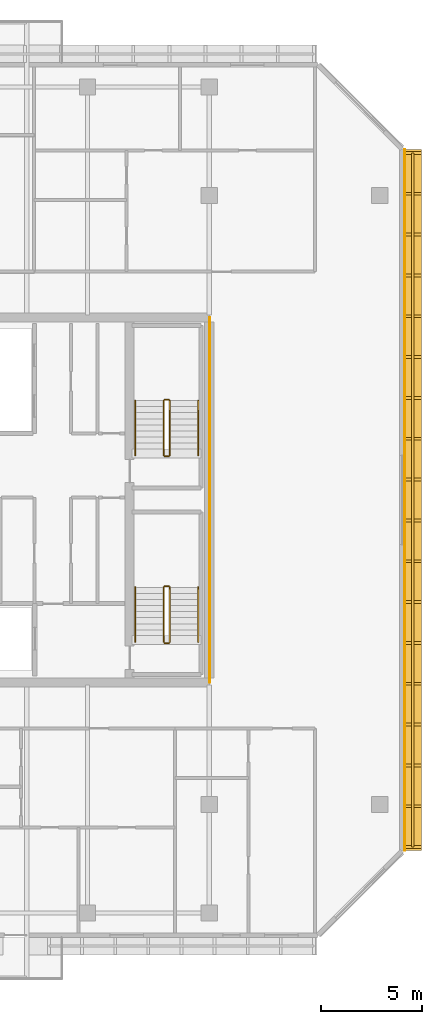
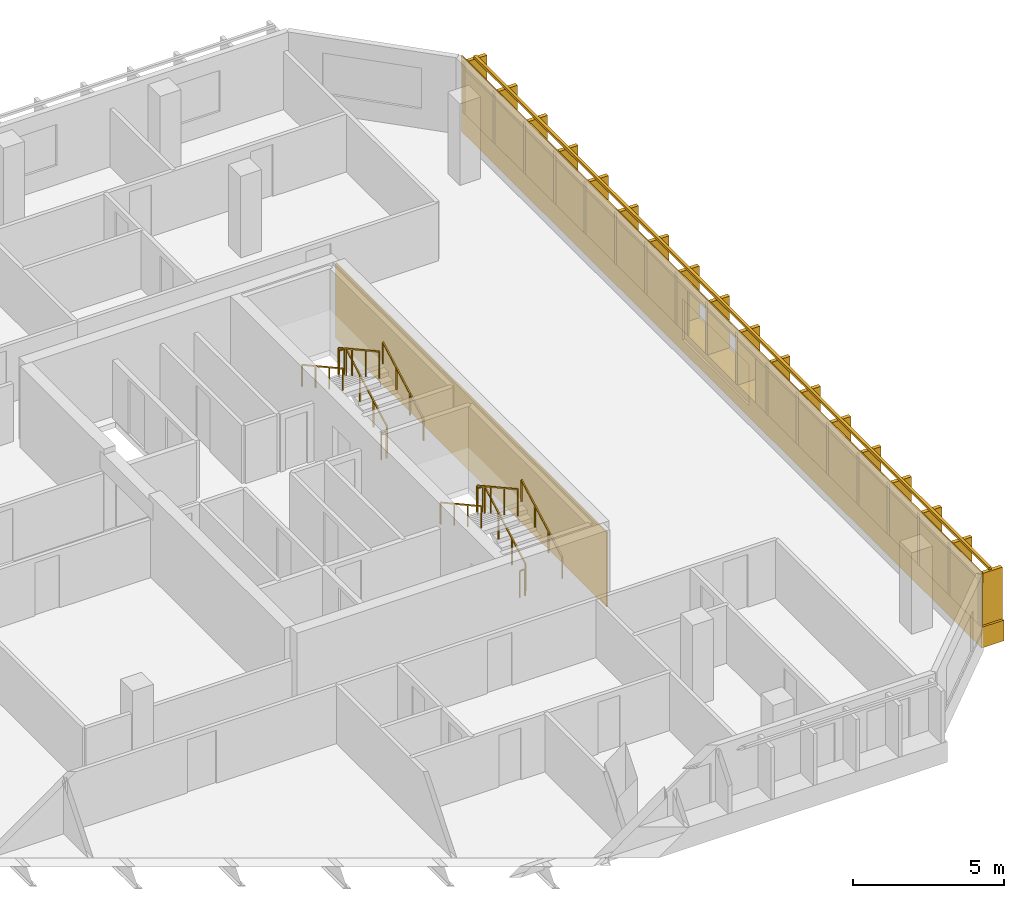
# One storey, part 15 of 16: 13 railings, 5 coverings.
"""IFC4 building model written with IfcOpenShell, lengths in metres."""

from ifc_helpers import new_model, si_unit, direction, frame, origin, origin_2d, place, context, subcontext, project, spatial, rectangle, extrude, material, layer, layer_set, type_object, element, save


model = new_model("IFC4")

# Units and contexts
model_context = context("Model", 3, precision=1e-05, world=origin(), true_north=direction((0.0, 1.0)))
body_context = subcontext(model_context, "Body", "Model", "MODEL_VIEW")
ifc_project = project(units=[si_unit("LENGTHUNIT", "METRE"), si_unit("AREAUNIT", "SQUARE_METRE"), si_unit("VOLUMEUNIT", "CUBIC_METRE"), si_unit("PLANEANGLEUNIT", "RADIAN"), si_unit("MASSUNIT", "GRAM", prefix="KILO")], contexts=[model_context])

# Site, building, storey
site_placement = place(None, origin())
site = spatial("IfcSite", under=ifc_project, at=site_placement, CompositionType="ELEMENT")
building_placement = place(site_placement, origin())
building = spatial("IfcBuilding", under=site, at=building_placement, Name="Tanjung Sevakor Pilgrim Tower", CompositionType="ELEMENT")
storey_placement = place(building_placement, frame((0.0, 0.0, 191.72998046875)))
storey = spatial("IfcBuildingStorey", under=building, at=storey_placement, Name="L53", CompositionType="ELEMENT", Elevation=191.72998046875)

# Coverings
ifc_material_1 = material(Name="Reconstructed Limestone Cladding", Category="masonry")
ifc_layer = layer(ifc_material_1, 0.044921875)
ifc_layer_set = layer_set([ifc_layer], Name="COV-CLAD-LIMESTONE")
covering_type = type_object("IfcCoveringType", Name="COV-CLAD-LIMESTONE", PredefinedType="CLADDING", material=ifc_layer_set)
covering_1_placement = place(storey_placement, frame((100.030029296875, 33.60009765625, 0.009765625), z_axis=(0.0, 0.0, 1.0), x_axis=(0.0, 1.0, 0.0)))
element("IfcCovering", 1, at=covering_1_placement, inside=storey, type_object=covering_type, Name="L53 Warm Limestone Sill Spandrel EW-L53-MAIN-7-1", PredefinedType="CLADDING", context=body_context, shape_type="SweptSolid", body=[
    extrude(rectangle(XDim=34.52880859375, YDim=0.860107421875, at=origin_2d()), origin(), (0.0, 0.0, 1.0), 0.840087890625),
])
covering_2_placement = place(storey_placement, frame((99.62255859375, 33.60009765625, 2.66015625), z_axis=(0.0, 0.0, 1.0), x_axis=(0.0, 1.0, 0.0)))
element("IfcCovering", 2, at=covering_2_placement, inside=storey, type_object=covering_type, Name="L53 Warm Limestone Cornice Spandrel EW-L53-MAIN-7", PredefinedType="CLADDING", context=body_context, shape_type="SweptSolid", body=[
    extrude(rectangle(XDim=34.56884765625, YDim=0.044921875, at=origin_2d()), origin(), (0.0, 0.0, 1.0), 0.409912109375),
])
for number, where, z_axis, x_axis, name in (
    (3, (99.62255859375, 23.8427734375, 0.85009765625), (0.0, 0.0, 1.0), (0.0, 1.0, 0.0), "L53 Warm Limestone Pier Panel EW-L53-MAIN-7-1"),
    (4, (99.62255859375, 43.357177734375, 0.85009765625), (0.0, 0.0, 1.0), (0.0, 1.0, 0.0), "L53 Warm Limestone Pier Panel EW-L53-MAIN-7-2"),
):
    element("IfcCovering", number, at=place(storey_placement, frame(where, z_axis=z_axis, x_axis=x_axis)), inside=storey, type_object=covering_type, Name=name, PredefinedType="CLADDING", context=body_context, shape_type="SweptSolid", body=[
        extrude(rectangle(XDim=15.014404296875, YDim=0.044921875, at=origin_2d()), origin(), (0.0, 0.0, 1.0), 1.81005859375),
    ])
covering_3_placement = place(storey_placement, frame((90.0224609375, 33.60009765625, 0.02001953125), z_axis=(0.0, 0.0, 1.0), x_axis=(1.0, 0.0, 0.0)))
element("IfcCovering", 5, at=covering_3_placement, inside=storey, type_object=covering_type, Name="L53 Expressed Core Warm Limestone Cladding E", PredefinedType="CLADDING", context=body_context, shape_type="SweptSolid", body=[
    extrude(rectangle(XDim=0.044921875, YDim=18.0, at=origin_2d()), origin(), (0.0, 0.0, 1.0), 3.0400390625),
])

# Railings
ifc_material_2 = material(Name="Anodised Bronze Aluminium 6063-T6", Category="aluminium")
railing_type_1 = type_object("IfcRailingType", Name="RL-FIN-SCREEN", PredefinedType="BALUSTRADE", material=ifc_material_2)
railing_1_placement = place(storey_placement, frame((100.02490234375, 16.49560546875, 0.840087890625)))
element("IfcRailing", 6, at=railing_1_placement, inside=storey, type_object=railing_type_1, Name="L53 Vertical Bronze-Gold Solar Fin Screen FNEND-EW-L53-MAIN-7-1", PredefinedType="BALUSTRADE", context=body_context, shape_type="SweptSolid", body=[
    extrude(rectangle(XDim=0.105, YDim=0.105), frame((0.0, 0.0, 2.157470703125), z_axis=(0.0, 1.0, 0.0), x_axis=(-1.0, 0.0, 0.0)), (0.0, 0.0, 1.0), 34.208740234375),
    extrude(rectangle(XDim=0.85, YDim=0.14), origin(), (0.0, 0.0, 1.0), 2.10498046875),
    extrude(rectangle(XDim=0.85, YDim=0.14), frame((0.0, 2.01220703125, 0.0)), (0.0, 0.0, 1.0), 2.10498046875),
    extrude(rectangle(XDim=0.85, YDim=0.14), frame((0.0, 4.024658203125, 0.0)), (0.0, 0.0, 1.0), 2.10498046875),
    extrude(rectangle(XDim=0.85, YDim=0.14), frame((0.0, 6.036865234375, 0.0)), (0.0, 0.0, 1.0), 2.10498046875),
    extrude(rectangle(XDim=0.85, YDim=0.14), frame((0.0, 8.049072265625, 0.0)), (0.0, 0.0, 1.0), 2.10498046875),
    extrude(rectangle(XDim=0.85, YDim=0.14), frame((0.0, 10.061279296875, 0.0)), (0.0, 0.0, 1.0), 2.10498046875),
    extrude(rectangle(XDim=0.85, YDim=0.14), frame((0.0, 12.07373046875, 0.0)), (0.0, 0.0, 1.0), 2.10498046875),
    extrude(rectangle(XDim=0.85, YDim=0.14), frame((0.0, 14.0859375, 0.0)), (0.0, 0.0, 1.0), 2.10498046875),
    extrude(rectangle(XDim=0.85, YDim=0.14), frame((0.0, 16.09814453125, 0.0)), (0.0, 0.0, 1.0), 2.10498046875),
    extrude(rectangle(XDim=0.85, YDim=0.14), frame((0.0, 18.110595703125, 0.0)), (0.0, 0.0, 1.0), 2.10498046875),
    extrude(rectangle(XDim=0.85, YDim=0.14), frame((0.0, 20.122802734375, 0.0)), (0.0, 0.0, 1.0), 2.10498046875),
    extrude(rectangle(XDim=0.85, YDim=0.14), frame((0.0, 22.135009765625, 0.0)), (0.0, 0.0, 1.0), 2.10498046875),
    extrude(rectangle(XDim=0.85, YDim=0.14), frame((0.0, 24.1474609375, 0.0)), (0.0, 0.0, 1.0), 2.10498046875),
    extrude(rectangle(XDim=0.85, YDim=0.14), frame((0.0, 26.15966796875, 0.0)), (0.0, 0.0, 1.0), 2.10498046875),
    extrude(rectangle(XDim=0.85, YDim=0.14), frame((0.0, 28.171875, 0.0)), (0.0, 0.0, 1.0), 2.10498046875),
    extrude(rectangle(XDim=0.85, YDim=0.14), frame((0.0, 30.18408203125, 0.0)), (0.0, 0.0, 1.0), 2.10498046875),
    extrude(rectangle(XDim=0.85, YDim=0.14), frame((0.0, 32.196533203125, 0.0)), (0.0, 0.0, 1.0), 2.10498046875),
    extrude(rectangle(XDim=0.85, YDim=0.14), frame((0.0, 34.208740234375, 0.0)), (0.0, 0.0, 1.0), 2.10498046875),
])
ifc_material_3 = material(Name="Steel S355J2", Category="steel")
railing_type_2 = type_object("IfcRailingType", Name="RL-STAIR-GUARD", PredefinedType="GUARDRAIL", material=ifc_material_3)
railing_2_placement = place(storey_placement, frame((88.050048828125, 26.60009765625, 0.1650390625)))
element("IfcRailing", 7, at=railing_2_placement, inside=storey, type_object=railing_type_2, Name="L53 TS-E1 stair guard 1", PredefinedType="GUARDRAIL", context=body_context, shape_type="SweptSolid", body=[
    extrude(rectangle(XDim=0.0479, YDim=0.0479), frame((0.0, 0.0, 1.076171875), z_axis=(0.0, 0.876230963923, 0.481891375584), x_axis=(-1.0, 0.0, 0.0)), (0.0, 0.0, 1.0), 3.081298828125),
    extrude(rectangle(XDim=0.042, YDim=0.042), origin(), (0.0, 0.0, 1.0), 1.052001953125),
    extrude(rectangle(XDim=0.042, YDim=0.042), frame((0.0, 0.89990234375, 0.494873046875)), (0.0, 0.0, 1.0), 1.052001953125),
    extrude(rectangle(XDim=0.042, YDim=0.042), frame((0.0, 1.800048828125, 0.989990234375)), (0.0, 0.0, 1.0), 1.052001953125),
    extrude(rectangle(XDim=0.042, YDim=0.042), frame((0.0, 2.699951171875, 1.48486328125)), (0.0, 0.0, 1.0), 1.052001953125),
])
railing_3_placement = place(storey_placement, frame((88.0, 29.35009765625, 1.64990234375)))
element("IfcRailing", 8, at=railing_3_placement, inside=storey, type_object=railing_type_2, Name="L53 TS-E1 stair guard 2", PredefinedType="GUARDRAIL", context=body_context, shape_type="SweptSolid", body=[
    extrude(rectangle(XDim=0.0479, YDim=0.0479), frame((0.0, 0.0, 1.076171875), z_axis=(-1.0, 0.0, 0.0), x_axis=(0.0, -1.0, 0.0)), (0.0, 0.0, 1.0), 0.199951171875),
    extrude(rectangle(XDim=0.042, YDim=0.042), origin(), (0.0, 0.0, 1.0), 1.052001953125),
    extrude(rectangle(XDim=0.042, YDim=0.042), frame((-0.199951171875, 0.0, 0.0)), (0.0, 0.0, 1.0), 1.052001953125),
])
railing_4_placement = place(storey_placement, frame((87.75, 29.300048828125, 1.81494140625)))
element("IfcRailing", 9, at=railing_4_placement, inside=storey, type_object=railing_type_2, Name="L53 TS-E1 stair guard 3", PredefinedType="GUARDRAIL", context=body_context, shape_type="SweptSolid", body=[
    extrude(rectangle(XDim=0.0479, YDim=0.0479), frame((0.0, 0.0, 1.076171875), z_axis=(0.0, -0.876197507361, 0.481952205197), x_axis=(1.0, 0.0, 0.0)), (0.0, 0.0, 1.0), 3.08154296875),
    extrude(rectangle(XDim=0.042, YDim=0.042), origin(), (0.0, 0.0, 1.0), 1.052001953125),
    extrude(rectangle(XDim=0.042, YDim=0.042), frame((0.0, -0.89990234375, 0.4951171875)), (0.0, 0.0, 1.0), 1.052001953125),
    extrude(rectangle(XDim=0.042, YDim=0.042), frame((0.0, -1.800048828125, 0.989990234375)), (0.0, 0.0, 1.0), 1.052001953125),
    extrude(rectangle(XDim=0.042, YDim=0.042), frame((0.0, -2.699951171875, 1.485107421875)), (0.0, 0.0, 1.0), 1.052001953125),
])
railing_5_placement = place(storey_placement, frame((88.0, 26.550048828125, 0.0)))
element("IfcRailing", 10, at=railing_5_placement, inside=storey, type_object=railing_type_2, Name="L53 TS-E1 stair guard 4", PredefinedType="GUARDRAIL", context=body_context, shape_type="SweptSolid", body=[
    extrude(rectangle(XDim=0.0479, YDim=0.0479), frame((0.0, 0.0, 1.076171875), z_axis=(-1.0, 0.0, 0.0), x_axis=(0.0, -1.0, 0.0)), (0.0, 0.0, 1.0), 0.199951171875),
    extrude(rectangle(XDim=0.042, YDim=0.042), origin(), (0.0, 0.0, 1.0), 1.052001953125),
    extrude(rectangle(XDim=0.042, YDim=0.042), frame((-0.199951171875, 0.0, 0.0)), (0.0, 0.0, 1.0), 1.052001953125),
])
railing_6_placement = place(storey_placement, frame((88.050048828125, 35.800048828125, 0.1650390625)))
element("IfcRailing", 11, at=railing_6_placement, inside=storey, type_object=railing_type_2, Name="L53 TS-E2 stair guard 1", PredefinedType="GUARDRAIL", context=body_context, shape_type="SweptSolid", body=[
    extrude(rectangle(XDim=0.0479, YDim=0.0479), frame((0.0, 0.0, 1.076171875), z_axis=(0.0, 0.876230963923, 0.481891375584), x_axis=(-1.0, 0.0, 0.0)), (0.0, 0.0, 1.0), 3.081298828125),
    extrude(rectangle(XDim=0.042, YDim=0.042), origin(), (0.0, 0.0, 1.0), 1.052001953125),
    extrude(rectangle(XDim=0.042, YDim=0.042), frame((0.0, 0.89990234375, 0.494873046875)), (0.0, 0.0, 1.0), 1.052001953125),
    extrude(rectangle(XDim=0.042, YDim=0.042), frame((0.0, 1.800048828125, 0.989990234375)), (0.0, 0.0, 1.0), 1.052001953125),
    extrude(rectangle(XDim=0.042, YDim=0.042), frame((0.0, 2.699951171875, 1.48486328125)), (0.0, 0.0, 1.0), 1.052001953125),
])
railing_7_placement = place(storey_placement, frame((88.0, 38.550048828125, 1.64990234375)))
element("IfcRailing", 12, at=railing_7_placement, inside=storey, type_object=railing_type_2, Name="L53 TS-E2 stair guard 2", PredefinedType="GUARDRAIL", context=body_context, shape_type="SweptSolid", body=[
    extrude(rectangle(XDim=0.0479, YDim=0.0479), frame((0.0, 0.0, 1.076171875), z_axis=(-1.0, 0.0, 0.0), x_axis=(0.0, -1.0, 0.0)), (0.0, 0.0, 1.0), 0.199951171875),
    extrude(rectangle(XDim=0.042, YDim=0.042), origin(), (0.0, 0.0, 1.0), 1.052001953125),
    extrude(rectangle(XDim=0.042, YDim=0.042), frame((-0.199951171875, 0.0, 0.0)), (0.0, 0.0, 1.0), 1.052001953125),
])
railing_8_placement = place(storey_placement, frame((87.75, 38.5, 1.81494140625)))
element("IfcRailing", 13, at=railing_8_placement, inside=storey, type_object=railing_type_2, Name="L53 TS-E2 stair guard 3", PredefinedType="GUARDRAIL", context=body_context, shape_type="SweptSolid", body=[
    extrude(rectangle(XDim=0.0479, YDim=0.0479), frame((0.0, 0.0, 1.076171875), z_axis=(0.0, -0.876197507361, 0.481952205197), x_axis=(1.0, 0.0, 0.0)), (0.0, 0.0, 1.0), 3.08154296875),
    extrude(rectangle(XDim=0.042, YDim=0.042), origin(), (0.0, 0.0, 1.0), 1.052001953125),
    extrude(rectangle(XDim=0.042, YDim=0.042), frame((0.0, -0.89990234375, 0.4951171875)), (0.0, 0.0, 1.0), 1.052001953125),
    extrude(rectangle(XDim=0.042, YDim=0.042), frame((0.0, -1.800048828125, 0.989990234375)), (0.0, 0.0, 1.0), 1.052001953125),
    extrude(rectangle(XDim=0.042, YDim=0.042), frame((0.0, -2.699951171875, 1.485107421875)), (0.0, 0.0, 1.0), 1.052001953125),
])
railing_9_placement = place(storey_placement, frame((88.0, 35.75, 0.0)))
element("IfcRailing", 14, at=railing_9_placement, inside=storey, type_object=railing_type_2, Name="L53 TS-E2 stair guard 4", PredefinedType="GUARDRAIL", context=body_context, shape_type="SweptSolid", body=[
    extrude(rectangle(XDim=0.0479, YDim=0.0479), frame((0.0, 0.0, 1.076171875), z_axis=(-1.0, 0.0, 0.0), x_axis=(0.0, -1.0, 0.0)), (0.0, 0.0, 1.0), 0.199951171875),
    extrude(rectangle(XDim=0.042, YDim=0.042), origin(), (0.0, 0.0, 1.0), 1.052001953125),
    extrude(rectangle(XDim=0.042, YDim=0.042), frame((-0.199951171875, 0.0, 0.0)), (0.0, 0.0, 1.0), 1.052001953125),
])
ifc_material_4 = material(Name="Steel S355J2", Category="steel")
railing_type_3 = type_object("IfcRailingType", Name="RL-STAIR-HAND", PredefinedType="HANDRAIL", material=ifc_material_4)
railing_10_placement = place(storey_placement, frame((89.449951171875, 26.60009765625, 0.1650390625)))
element("IfcRailing", 15, at=railing_10_placement, inside=storey, type_object=railing_type_3, Name="L53 TS-E1 stair handrail 1", PredefinedType="HANDRAIL", context=body_context, shape_type="SweptSolid", body=[
    extrude(rectangle(XDim=0.0479, YDim=0.0479), frame((0.0, 0.0, 0.8759765625), z_axis=(0.0, 0.876230963923, 0.481891375584), x_axis=(-1.0, 0.0, 0.0)), (0.0, 0.0, 1.0), 3.081298828125),
    extrude(rectangle(XDim=0.042, YDim=0.042), origin(), (0.0, 0.0, 1.0), 0.851806640625),
    extrude(rectangle(XDim=0.042, YDim=0.042), frame((0.0, 0.89990234375, 0.494873046875)), (0.0, 0.0, 1.0), 0.851806640625),
    extrude(rectangle(XDim=0.042, YDim=0.042), frame((0.0, 1.800048828125, 0.989990234375)), (0.0, 0.0, 1.0), 0.851806640625),
    extrude(rectangle(XDim=0.042, YDim=0.042), frame((0.0, 2.699951171875, 1.48486328125)), (0.0, 0.0, 1.0), 0.851806640625),
])
railing_11_placement = place(storey_placement, frame((86.35009765625, 29.300048828125, 1.81494140625)))
element("IfcRailing", 16, at=railing_11_placement, inside=storey, type_object=railing_type_3, Name="L53 TS-E1 stair handrail 2", PredefinedType="HANDRAIL", context=body_context, shape_type="SweptSolid", body=[
    extrude(rectangle(XDim=0.0479, YDim=0.0479), frame((0.0, 0.0, 0.8759765625), z_axis=(0.0, -0.876197507361, 0.481952205197), x_axis=(1.0, 0.0, 0.0)), (0.0, 0.0, 1.0), 3.08154296875),
    extrude(rectangle(XDim=0.042, YDim=0.042), origin(), (0.0, 0.0, 1.0), 0.851806640625),
    extrude(rectangle(XDim=0.042, YDim=0.042), frame((0.0, -0.89990234375, 0.4951171875)), (0.0, 0.0, 1.0), 0.851806640625),
    extrude(rectangle(XDim=0.042, YDim=0.042), frame((0.0, -1.800048828125, 0.989990234375)), (0.0, 0.0, 1.0), 0.851806640625),
    extrude(rectangle(XDim=0.042, YDim=0.042), frame((0.0, -2.699951171875, 1.485107421875)), (0.0, 0.0, 1.0), 0.851806640625),
])
railing_12_placement = place(storey_placement, frame((89.449951171875, 35.800048828125, 0.1650390625)))
element("IfcRailing", 17, at=railing_12_placement, inside=storey, type_object=railing_type_3, Name="L53 TS-E2 stair handrail 1", PredefinedType="HANDRAIL", context=body_context, shape_type="SweptSolid", body=[
    extrude(rectangle(XDim=0.0479, YDim=0.0479), frame((0.0, 0.0, 0.8759765625), z_axis=(0.0, 0.876230963923, 0.481891375584), x_axis=(-1.0, 0.0, 0.0)), (0.0, 0.0, 1.0), 3.081298828125),
    extrude(rectangle(XDim=0.042, YDim=0.042), origin(), (0.0, 0.0, 1.0), 0.851806640625),
    extrude(rectangle(XDim=0.042, YDim=0.042), frame((0.0, 0.89990234375, 0.494873046875)), (0.0, 0.0, 1.0), 0.851806640625),
    extrude(rectangle(XDim=0.042, YDim=0.042), frame((0.0, 1.800048828125, 0.989990234375)), (0.0, 0.0, 1.0), 0.851806640625),
    extrude(rectangle(XDim=0.042, YDim=0.042), frame((0.0, 2.699951171875, 1.48486328125)), (0.0, 0.0, 1.0), 0.851806640625),
])
railing_13_placement = place(storey_placement, frame((86.35009765625, 38.5, 1.81494140625)))
element("IfcRailing", 18, at=railing_13_placement, inside=storey, type_object=railing_type_3, Name="L53 TS-E2 stair handrail 2", PredefinedType="HANDRAIL", context=body_context, shape_type="SweptSolid", body=[
    extrude(rectangle(XDim=0.0479, YDim=0.0479), frame((0.0, 0.0, 0.8759765625), z_axis=(0.0, -0.876197507361, 0.481952205197), x_axis=(1.0, 0.0, 0.0)), (0.0, 0.0, 1.0), 3.08154296875),
    extrude(rectangle(XDim=0.042, YDim=0.042), origin(), (0.0, 0.0, 1.0), 0.851806640625),
    extrude(rectangle(XDim=0.042, YDim=0.042), frame((0.0, -0.89990234375, 0.4951171875)), (0.0, 0.0, 1.0), 0.851806640625),
    extrude(rectangle(XDim=0.042, YDim=0.042), frame((0.0, -1.800048828125, 0.989990234375)), (0.0, 0.0, 1.0), 0.851806640625),
    extrude(rectangle(XDim=0.042, YDim=0.042), frame((0.0, -2.699951171875, 1.485107421875)), (0.0, 0.0, 1.0), 0.851806640625),
])

save(model, "model.ifc")
